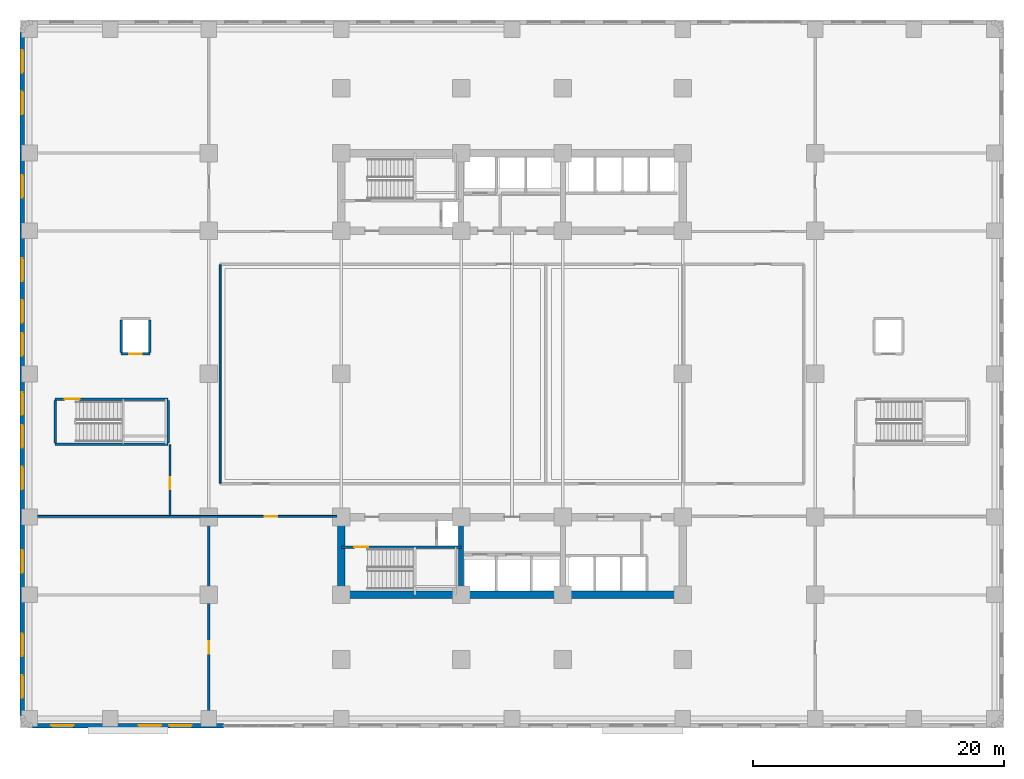
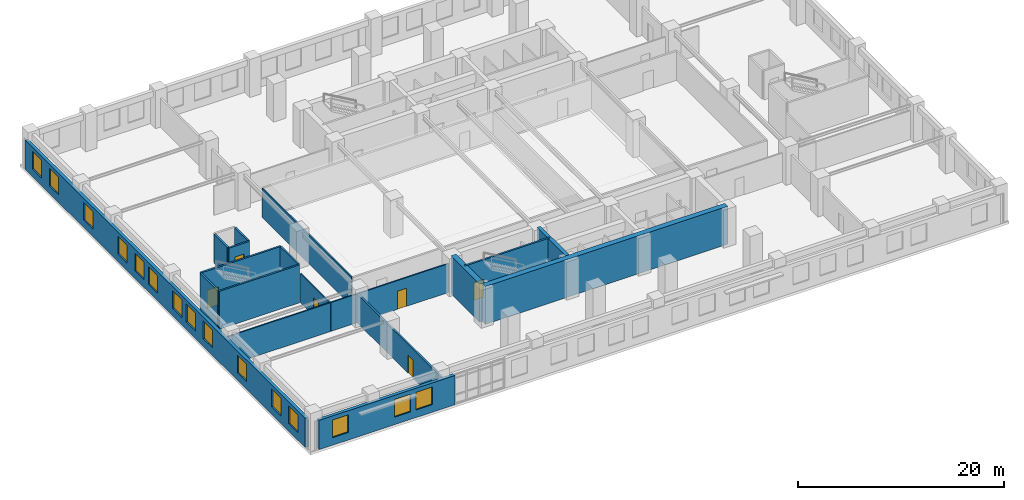
# One storey, part 6 of 16: 18 walls, 15 windows, 6 doors, 21 openings.
"""IFC4 building model written with IfcOpenShell, lengths in metres."""

from ifc_helpers import new_model, si_unit, direction, frame, frame_2d, origin, place, context, subcontext, project, spatial, rectangle, extrude, material, layer, layer_set, type_object, element, fill, save


model = new_model("IFC4")

# Units and contexts
model_context = context("Model", 3, precision=1e-05, world=origin(), true_north=direction((0.0, 1.0)))
body_context = subcontext(model_context, "Body", "Model", "MODEL_VIEW")
ifc_project = project(units=[si_unit("LENGTHUNIT", "METRE"), si_unit("AREAUNIT", "SQUARE_METRE"), si_unit("VOLUMEUNIT", "CUBIC_METRE"), si_unit("PLANEANGLEUNIT", "RADIAN"), si_unit("MASSUNIT", "GRAM", prefix="KILO")], contexts=[model_context])

# Site, building, storey
site_placement = place(None, origin())
site = spatial("IfcSite", under=ifc_project, at=site_placement, CompositionType="ELEMENT")
building_placement = place(site_placement, origin())
building = spatial("IfcBuilding", under=site, at=building_placement, Name="Svetorya Sky Lyceum", CompositionType="ELEMENT")
storey_placement = place(building_placement, frame((0.0, 0.0, 11.10009765625)))
storey = spatial("IfcBuildingStorey", under=building, at=storey_placement, Name="L02", CompositionType="ELEMENT", Elevation=11.10009765625)

# Walls
ifc_material_1 = material(Name="Concrete C40/50", Category="concrete")
ifc_layer_1 = layer(ifc_material_1, 0.39990234375)
ifc_layer_set_1 = layer_set([ifc_layer_1], Name="Concrete C40/50")
wall_type_1 = type_object("IfcWallType", Name="WL-CORE-400", PredefinedType="SHEAR", material=ifc_layer_set_1)
wall_1_placement = place(storey_placement, frame((35.14990234375, 10.89990234375, 0.0), z_axis=(0.0, 0.0, 1.0), x_axis=(0.0, 1.0, 0.0)))
element("IfcWall", 1, at=wall_1_placement, inside=storey, type_object=wall_type_1, Name="L02 SC Internal Shear Web WEB1", PredefinedType="SHEAR", context=body_context, shape_type="SweptSolid", body=[
    extrude(rectangle(XDim=5.60009765625, YDim=0.39990234375, at=frame_2d((2.800048828125, 0.0))), origin(), (0.0, 0.0, 1.0), 4.5),
])
ifc_material_2 = material(Name="Concrete C60/75", Category="concrete")
ifc_layer_2 = layer(ifc_material_2, 0.60009765625)
ifc_layer_set_2 = layer_set([ifc_layer_2], Name="Concrete C60/75")
wall_type_2 = type_object("IfcWallType", Name="WL-CORE-600", PredefinedType="SHEAR", material=ifc_layer_set_2)
wall_2_placement = place(storey_placement, frame((52.800048828125, 10.60009765625, 0.0), z_axis=(0.0, 0.0, 1.0), x_axis=(-1.0, 0.0, 0.0)))
element("IfcWall", 2, at=wall_2_placement, inside=storey, type_object=wall_type_2, Name="L02 SC Outer Core Shear Wall", PredefinedType="SHEAR", context=body_context, shape_type="SweptSolid", body=[
    extrude(rectangle(XDim=27.199951171875, YDim=0.60009765625, at=frame_2d((13.60009765625, 0.0))), origin(), (0.0, 0.0, 1.0), 4.5),
])
wall_3_placement = place(storey_placement, frame((25.60009765625, 10.89990234375, 0.0), z_axis=(0.0, 0.0, 1.0), x_axis=(0.0, 1.0, 0.0)))
element("IfcWall", 3, at=wall_3_placement, inside=storey, type_object=wall_type_2, Name="L02 SC West Core Shear Wall", PredefinedType="SHEAR", context=body_context, shape_type="SweptSolid", body=[
    extrude(rectangle(XDim=5.60009765625, YDim=0.60009765625, at=frame_2d((2.800048828125, 0.0))), origin(), (0.0, 0.0, 1.0), 4.5),
])

# Wall, openings, windows
ifc_material_3 = material(Name="Putilovo limestone rainscreen on autoclaved cellular masonry", Category="masonry")
ifc_layer_3 = layer(ifc_material_3, 0.360107421875)
ifc_layer_set_3 = layer_set([ifc_layer_3], Name="Putilovo limestone rainscreen on autoclaved cellular masonry")
wall_type_3 = type_object("IfcWallType", Name="WL-EXT-360", PredefinedType="SOLIDWALL", material=ifc_layer_set_3)
wall_4_placement = place(storey_placement, frame((0.97998046875, 0.179931640625, 0.0), z_axis=(0.0, 0.0, 1.0), x_axis=(1.0, 0.0, 0.0)))
wall_4 = element("IfcWall", 4, at=wall_4_placement, inside=storey, type_object=wall_type_3, Name="L02 Limestone Exterior Wall 6A", PredefinedType="SOLIDWALL", context=body_context, shape_type="SweptSolid", body=[
    extrude(rectangle(XDim=15.25, YDim=0.360107421875, at=frame_2d((7.625, 0.0))), origin(), (0.0, 0.0, 1.0), 3.47998046875),
])
opening_1_placement = place(wall_4_placement, frame((1.49365234375, 0.0, 0.89990234375)))
opening_1 = element("IfcOpeningElement", 5, at=opening_1_placement, cuts=wall_4, Name="Opening W-S2", PredefinedType="OPENING", context=body_context, shape_type="SweptSolid", body=[
    extrude(rectangle(XDim=1.800048828125, YDim=2.10009765625, at=frame_2d((0.89990234375, 1.050048828125))), frame((0.0, 0.18994140625, 0.0), z_axis=(0.0, -1.0, 0.0), x_axis=(1.0, 0.0, 0.0)), (0.0, 0.0, 1.0), 0.380126953125),
])
opening_2_placement = place(wall_4_placement, frame((8.46875, 0.0, 0.89990234375)))
opening_2 = element("IfcOpeningElement", 6, at=opening_2_placement, cuts=wall_4, Name="Opening W-S2", PredefinedType="OPENING", context=body_context, shape_type="SweptSolid", body=[
    extrude(rectangle(XDim=1.800048828125, YDim=2.10009765625, at=frame_2d((0.89990234375, 1.050048828125))), frame((0.0, 0.18994140625, 0.0), z_axis=(0.0, -1.0, 0.0), x_axis=(1.0, 0.0, 0.0)), (0.0, 0.0, 1.0), 0.380126953125),
])
opening_3_placement = place(wall_4_placement, frame((10.90625, 0.0, 0.89990234375)))
opening_3 = element("IfcOpeningElement", 7, at=opening_3_placement, cuts=wall_4, Name="Opening W-S2", PredefinedType="OPENING", context=body_context, shape_type="SweptSolid", body=[
    extrude(rectangle(XDim=1.800048828125, YDim=2.10009765625, at=frame_2d((0.89990234375, 1.050048828125))), frame((0.0, 0.18994140625, 0.0), z_axis=(0.0, -1.0, 0.0), x_axis=(1.0, 0.0, 0.0)), (0.0, 0.0, 1.0), 0.380126953125),
])
ifc_material_4 = material(Name="Thermally broken aluminium frame with triple low-E glazing", Category="aluminium")
window_type = type_object("IfcWindowType", Name="WN-SCH-180", PartitioningType="DOUBLE_PANEL_VERTICAL", PredefinedType="WINDOW", material=ifc_material_4)
window_1_placement = place(opening_1_placement, origin())
window_1 = element("IfcWindow", 8, at=window_1_placement, inside=storey, type_object=window_type, Name="L02 Facade Window W-S2.6A.1", OverallHeight=2.10009765625, OverallWidth=1.800048828125, PartitioningType="SINGLE_PANEL", PredefinedType="WINDOW", context=body_context, shape_type="SweptSolid", body=[
    extrude(rectangle(XDim=1.800048828125, YDim=2.10009765625, at=frame_2d((0.89990234375, 1.050048828125))), frame((0.0, 0.030029296875, 0.0), z_axis=(0.0, -1.0, 0.0), x_axis=(1.0, 0.0, 0.0)), (0.0, 0.0, 1.0), 0.06005859375),
])
fill(opening_1, window_1)
window_2_placement = place(opening_2_placement, origin())
window_2 = element("IfcWindow", 9, at=window_2_placement, inside=storey, type_object=window_type, Name="L02 Facade Window W-S2.6A.2", OverallHeight=2.10009765625, OverallWidth=1.800048828125, PartitioningType="SINGLE_PANEL", PredefinedType="WINDOW", context=body_context, shape_type="SweptSolid", body=[
    extrude(rectangle(XDim=1.800048828125, YDim=2.10009765625, at=frame_2d((0.89990234375, 1.050048828125))), frame((0.0, 0.030029296875, 0.0), z_axis=(0.0, -1.0, 0.0), x_axis=(1.0, 0.0, 0.0)), (0.0, 0.0, 1.0), 0.06005859375),
])
fill(opening_2, window_2)
window_3_placement = place(opening_3_placement, origin())
window_3 = element("IfcWindow", 10, at=window_3_placement, inside=storey, type_object=window_type, Name="L02 Facade Window W-S2.6A.3", OverallHeight=2.10009765625, OverallWidth=1.800048828125, PartitioningType="SINGLE_PANEL", PredefinedType="WINDOW", context=body_context, shape_type="SweptSolid", body=[
    extrude(rectangle(XDim=1.800048828125, YDim=2.10009765625, at=frame_2d((0.89990234375, 1.050048828125))), frame((0.0, 0.030029296875, 0.0), z_axis=(0.0, -1.0, 0.0), x_axis=(1.0, 0.0, 0.0)), (0.0, 0.0, 1.0), 0.06005859375),
])
fill(opening_3, window_3)

wall_5_placement = place(storey_placement, frame((0.179931640625, 55.419921875, 0.0), z_axis=(0.0, 0.0, 1.0), x_axis=(0.0, -1.0, 0.0)))
wall_5 = element("IfcWall", 11, at=wall_5_placement, inside=storey, type_object=wall_type_3, Name="L02 Limestone Exterior Wall 24M", PredefinedType="SOLIDWALL", context=body_context, shape_type="SweptSolid", body=[
    extrude(rectangle(XDim=54.43994140625, YDim=0.360107421875, at=frame_2d((27.219970703125, 0.0))), origin(), (0.0, 0.0, 1.0), 3.47998046875),
])
opening_4_placement = place(wall_5_placement, frame((1.41064453125, 0.0, 0.89990234375)))
opening_4 = element("IfcOpeningElement", 12, at=opening_4_placement, cuts=wall_5, Name="Opening W-S2", PredefinedType="OPENING", context=body_context, shape_type="SweptSolid", body=[
    extrude(rectangle(XDim=1.800048828125, YDim=2.10009765625, at=frame_2d((0.89990234375, 1.050048828125))), frame((0.0, 0.18994140625, 0.0), z_axis=(0.0, -1.0, 0.0), x_axis=(1.0, 0.0, 0.0)), (0.0, 0.0, 1.0), 0.380126953125),
])
opening_5_placement = place(wall_5_placement, frame((4.73193359375, 0.0, 0.89990234375)))
opening_5 = element("IfcOpeningElement", 13, at=opening_5_placement, cuts=wall_5, Name="Opening W-S2", PredefinedType="OPENING", context=body_context, shape_type="SweptSolid", body=[
    extrude(rectangle(XDim=1.800048828125, YDim=2.10009765625, at=frame_2d((0.89990234375, 1.050048828125))), frame((0.0, 0.18994140625, 0.0), z_axis=(0.0, -1.0, 0.0), x_axis=(1.0, 0.0, 0.0)), (0.0, 0.0, 1.0), 0.380126953125),
])
opening_6_placement = place(wall_5_placement, frame((11.37451171875, 0.0, 0.89990234375)))
opening_6 = element("IfcOpeningElement", 14, at=opening_6_placement, cuts=wall_5, Name="Opening W-S2", PredefinedType="OPENING", context=body_context, shape_type="SweptSolid", body=[
    extrude(rectangle(XDim=1.800048828125, YDim=2.10009765625, at=frame_2d((0.89990234375, 1.050048828125))), frame((0.0, 0.18994140625, 0.0), z_axis=(0.0, -1.0, 0.0), x_axis=(1.0, 0.0, 0.0)), (0.0, 0.0, 1.0), 0.380126953125),
])
opening_7_placement = place(wall_5_placement, frame((18.016845703125, 0.0, 0.89990234375)))
opening_7 = element("IfcOpeningElement", 15, at=opening_7_placement, cuts=wall_5, Name="Opening W-S2", PredefinedType="OPENING", context=body_context, shape_type="SweptSolid", body=[
    extrude(rectangle(XDim=1.800048828125, YDim=2.10009765625, at=frame_2d((0.89990234375, 1.050048828125))), frame((0.0, 0.18994140625, 0.0), z_axis=(0.0, -1.0, 0.0), x_axis=(1.0, 0.0, 0.0)), (0.0, 0.0, 1.0), 0.380126953125),
])
opening_8_placement = place(wall_5_placement, frame((21.338134765625, 0.0, 0.89990234375)))
opening_8 = element("IfcOpeningElement", 16, at=opening_8_placement, cuts=wall_5, Name="Opening W-S2", PredefinedType="OPENING", context=body_context, shape_type="SweptSolid", body=[
    extrude(rectangle(XDim=1.800048828125, YDim=2.10009765625, at=frame_2d((0.89990234375, 1.050048828125))), frame((0.0, 0.18994140625, 0.0), z_axis=(0.0, -1.0, 0.0), x_axis=(1.0, 0.0, 0.0)), (0.0, 0.0, 1.0), 0.380126953125),
])
opening_9_placement = place(wall_5_placement, frame((23.95947265625, 0.0, 0.89990234375)))
opening_9 = element("IfcOpeningElement", 17, at=opening_9_placement, cuts=wall_5, Name="Opening W-S2", PredefinedType="OPENING", context=body_context, shape_type="SweptSolid", body=[
    extrude(rectangle(XDim=1.800048828125, YDim=2.10009765625, at=frame_2d((0.89990234375, 1.050048828125))), frame((0.0, 0.18994140625, 0.0), z_axis=(0.0, -1.0, 0.0), x_axis=(1.0, 0.0, 0.0)), (0.0, 0.0, 1.0), 0.380126953125),
])
opening_10_placement = place(wall_5_placement, frame((28.6806640625, 0.0, 0.89990234375)))
opening_10 = element("IfcOpeningElement", 18, at=opening_10_placement, cuts=wall_5, Name="Opening W-S2", PredefinedType="OPENING", context=body_context, shape_type="SweptSolid", body=[
    extrude(rectangle(XDim=1.800048828125, YDim=2.10009765625, at=frame_2d((0.89990234375, 1.050048828125))), frame((0.0, 0.18994140625, 0.0), z_axis=(0.0, -1.0, 0.0), x_axis=(1.0, 0.0, 0.0)), (0.0, 0.0, 1.0), 0.380126953125),
])
opening_11_placement = place(wall_5_placement, frame((31.302001953125, 0.0, 0.89990234375)))
opening_11 = element("IfcOpeningElement", 19, at=opening_11_placement, cuts=wall_5, Name="Opening W-S2", PredefinedType="OPENING", context=body_context, shape_type="SweptSolid", body=[
    extrude(rectangle(XDim=1.800048828125, YDim=2.10009765625, at=frame_2d((0.89990234375, 1.050048828125))), frame((0.0, 0.18994140625, 0.0), z_axis=(0.0, -1.0, 0.0), x_axis=(1.0, 0.0, 0.0)), (0.0, 0.0, 1.0), 0.380126953125),
])
opening_12_placement = place(wall_5_placement, frame((34.623046875, 0.0, 0.89990234375)))
opening_12 = element("IfcOpeningElement", 20, at=opening_12_placement, cuts=wall_5, Name="Opening W-S2", PredefinedType="OPENING", context=body_context, shape_type="SweptSolid", body=[
    extrude(rectangle(XDim=1.800048828125, YDim=2.10009765625, at=frame_2d((0.89990234375, 1.050048828125))), frame((0.0, 0.18994140625, 0.0), z_axis=(0.0, -1.0, 0.0), x_axis=(1.0, 0.0, 0.0)), (0.0, 0.0, 1.0), 0.380126953125),
])
opening_13_placement = place(wall_5_placement, frame((41.265625, 0.0, 0.89990234375)))
opening_13 = element("IfcOpeningElement", 21, at=opening_13_placement, cuts=wall_5, Name="Opening W-S2", PredefinedType="OPENING", context=body_context, shape_type="SweptSolid", body=[
    extrude(rectangle(XDim=1.800048828125, YDim=2.10009765625, at=frame_2d((0.89990234375, 1.050048828125))), frame((0.0, 0.18994140625, 0.0), z_axis=(0.0, -1.0, 0.0), x_axis=(1.0, 0.0, 0.0)), (0.0, 0.0, 1.0), 0.380126953125),
])
opening_14_placement = place(wall_5_placement, frame((47.908203125, 0.0, 0.89990234375)))
opening_14 = element("IfcOpeningElement", 22, at=opening_14_placement, cuts=wall_5, Name="Opening W-S2", PredefinedType="OPENING", context=body_context, shape_type="SweptSolid", body=[
    extrude(rectangle(XDim=1.800048828125, YDim=2.10009765625, at=frame_2d((0.89990234375, 1.050048828125))), frame((0.0, 0.18994140625, 0.0), z_axis=(0.0, -1.0, 0.0), x_axis=(1.0, 0.0, 0.0)), (0.0, 0.0, 1.0), 0.380126953125),
])
opening_15_placement = place(wall_5_placement, frame((51.2294921875, 0.0, 0.89990234375)))
opening_15 = element("IfcOpeningElement", 23, at=opening_15_placement, cuts=wall_5, Name="Opening W-S2", PredefinedType="OPENING", context=body_context, shape_type="SweptSolid", body=[
    extrude(rectangle(XDim=1.800048828125, YDim=2.10009765625, at=frame_2d((0.89990234375, 1.050048828125))), frame((0.0, 0.18994140625, 0.0), z_axis=(0.0, -1.0, 0.0), x_axis=(1.0, 0.0, 0.0)), (0.0, 0.0, 1.0), 0.380126953125),
])
window_4_placement = place(opening_4_placement, origin())
window_4 = element("IfcWindow", 24, at=window_4_placement, inside=storey, type_object=window_type, Name="L02 Facade Window W-S2.24M.1", OverallHeight=2.10009765625, OverallWidth=1.800048828125, PartitioningType="SINGLE_PANEL", PredefinedType="WINDOW", context=body_context, shape_type="SweptSolid", body=[
    extrude(rectangle(XDim=1.800048828125, YDim=2.10009765625, at=frame_2d((0.89990234375, 1.050048828125))), frame((0.0, 0.030029296875, 0.0), z_axis=(0.0, -1.0, 0.0), x_axis=(1.0, 0.0, 0.0)), (0.0, 0.0, 1.0), 0.06005859375),
])
fill(opening_4, window_4)
window_5_placement = place(opening_5_placement, origin())
window_5 = element("IfcWindow", 25, at=window_5_placement, inside=storey, type_object=window_type, Name="L02 Facade Window W-S2.24M.2", OverallHeight=2.10009765625, OverallWidth=1.800048828125, PartitioningType="SINGLE_PANEL", PredefinedType="WINDOW", context=body_context, shape_type="SweptSolid", body=[
    extrude(rectangle(XDim=1.800048828125, YDim=2.10009765625, at=frame_2d((0.89990234375, 1.050048828125))), frame((0.0, 0.030029296875, 0.0), z_axis=(0.0, -1.0, 0.0), x_axis=(1.0, 0.0, 0.0)), (0.0, 0.0, 1.0), 0.06005859375),
])
fill(opening_5, window_5)
window_6_placement = place(opening_6_placement, origin())
window_6 = element("IfcWindow", 26, at=window_6_placement, inside=storey, type_object=window_type, Name="L02 Facade Window W-S2.24M.3", OverallHeight=2.10009765625, OverallWidth=1.800048828125, PartitioningType="SINGLE_PANEL", PredefinedType="WINDOW", context=body_context, shape_type="SweptSolid", body=[
    extrude(rectangle(XDim=1.800048828125, YDim=2.10009765625, at=frame_2d((0.89990234375, 1.050048828125))), frame((0.0, 0.030029296875, 0.0), z_axis=(0.0, -1.0, 0.0), x_axis=(1.0, 0.0, 0.0)), (0.0, 0.0, 1.0), 0.06005859375),
])
fill(opening_6, window_6)
window_7_placement = place(opening_7_placement, origin())
window_7 = element("IfcWindow", 27, at=window_7_placement, inside=storey, type_object=window_type, Name="L02 Facade Window W-S2.24M.4", OverallHeight=2.10009765625, OverallWidth=1.800048828125, PartitioningType="SINGLE_PANEL", PredefinedType="WINDOW", context=body_context, shape_type="SweptSolid", body=[
    extrude(rectangle(XDim=1.800048828125, YDim=2.10009765625, at=frame_2d((0.89990234375, 1.050048828125))), frame((0.0, 0.030029296875, 0.0), z_axis=(0.0, -1.0, 0.0), x_axis=(1.0, 0.0, 0.0)), (0.0, 0.0, 1.0), 0.06005859375),
])
fill(opening_7, window_7)
window_8_placement = place(opening_8_placement, origin())
window_8 = element("IfcWindow", 28, at=window_8_placement, inside=storey, type_object=window_type, Name="L02 Facade Window W-S2.24M.5", OverallHeight=2.10009765625, OverallWidth=1.800048828125, PartitioningType="SINGLE_PANEL", PredefinedType="WINDOW", context=body_context, shape_type="SweptSolid", body=[
    extrude(rectangle(XDim=1.800048828125, YDim=2.10009765625, at=frame_2d((0.89990234375, 1.050048828125))), frame((0.0, 0.030029296875, 0.0), z_axis=(0.0, -1.0, 0.0), x_axis=(1.0, 0.0, 0.0)), (0.0, 0.0, 1.0), 0.06005859375),
])
fill(opening_8, window_8)
window_9_placement = place(opening_9_placement, origin())
window_9 = element("IfcWindow", 29, at=window_9_placement, inside=storey, type_object=window_type, Name="L02 Facade Window W-S2.24M.6", OverallHeight=2.10009765625, OverallWidth=1.800048828125, PartitioningType="SINGLE_PANEL", PredefinedType="WINDOW", context=body_context, shape_type="SweptSolid", body=[
    extrude(rectangle(XDim=1.800048828125, YDim=2.10009765625, at=frame_2d((0.89990234375, 1.050048828125))), frame((0.0, 0.030029296875, 0.0), z_axis=(0.0, -1.0, 0.0), x_axis=(1.0, 0.0, 0.0)), (0.0, 0.0, 1.0), 0.06005859375),
])
fill(opening_9, window_9)
window_10_placement = place(opening_10_placement, origin())
window_10 = element("IfcWindow", 30, at=window_10_placement, inside=storey, type_object=window_type, Name="L02 Facade Window W-S2.24M.7", OverallHeight=2.10009765625, OverallWidth=1.800048828125, PartitioningType="SINGLE_PANEL", PredefinedType="WINDOW", context=body_context, shape_type="SweptSolid", body=[
    extrude(rectangle(XDim=1.800048828125, YDim=2.10009765625, at=frame_2d((0.89990234375, 1.050048828125))), frame((0.0, 0.030029296875, 0.0), z_axis=(0.0, -1.0, 0.0), x_axis=(1.0, 0.0, 0.0)), (0.0, 0.0, 1.0), 0.06005859375),
])
fill(opening_10, window_10)
window_11_placement = place(opening_11_placement, origin())
window_11 = element("IfcWindow", 31, at=window_11_placement, inside=storey, type_object=window_type, Name="L02 Facade Window W-S2.24M.8", OverallHeight=2.10009765625, OverallWidth=1.800048828125, PartitioningType="SINGLE_PANEL", PredefinedType="WINDOW", context=body_context, shape_type="SweptSolid", body=[
    extrude(rectangle(XDim=1.800048828125, YDim=2.10009765625, at=frame_2d((0.89990234375, 1.050048828125))), frame((0.0, 0.030029296875, 0.0), z_axis=(0.0, -1.0, 0.0), x_axis=(1.0, 0.0, 0.0)), (0.0, 0.0, 1.0), 0.06005859375),
])
fill(opening_11, window_11)
window_12_placement = place(opening_12_placement, origin())
window_12 = element("IfcWindow", 32, at=window_12_placement, inside=storey, type_object=window_type, Name="L02 Facade Window W-S2.24M.9", OverallHeight=2.10009765625, OverallWidth=1.800048828125, PartitioningType="SINGLE_PANEL", PredefinedType="WINDOW", context=body_context, shape_type="SweptSolid", body=[
    extrude(rectangle(XDim=1.800048828125, YDim=2.10009765625, at=frame_2d((0.89990234375, 1.050048828125))), frame((0.0, 0.030029296875, 0.0), z_axis=(0.0, -1.0, 0.0), x_axis=(1.0, 0.0, 0.0)), (0.0, 0.0, 1.0), 0.06005859375),
])
fill(opening_12, window_12)
window_13_placement = place(opening_13_placement, origin())
window_13 = element("IfcWindow", 33, at=window_13_placement, inside=storey, type_object=window_type, Name="L02 Facade Window W-S2.24M.10", OverallHeight=2.10009765625, OverallWidth=1.800048828125, PartitioningType="SINGLE_PANEL", PredefinedType="WINDOW", context=body_context, shape_type="SweptSolid", body=[
    extrude(rectangle(XDim=1.800048828125, YDim=2.10009765625, at=frame_2d((0.89990234375, 1.050048828125))), frame((0.0, 0.030029296875, 0.0), z_axis=(0.0, -1.0, 0.0), x_axis=(1.0, 0.0, 0.0)), (0.0, 0.0, 1.0), 0.06005859375),
])
fill(opening_13, window_13)
window_14_placement = place(opening_14_placement, origin())
window_14 = element("IfcWindow", 34, at=window_14_placement, inside=storey, type_object=window_type, Name="L02 Facade Window W-S2.24M.11", OverallHeight=2.10009765625, OverallWidth=1.800048828125, PartitioningType="SINGLE_PANEL", PredefinedType="WINDOW", context=body_context, shape_type="SweptSolid", body=[
    extrude(rectangle(XDim=1.800048828125, YDim=2.10009765625, at=frame_2d((0.89990234375, 1.050048828125))), frame((0.0, 0.030029296875, 0.0), z_axis=(0.0, -1.0, 0.0), x_axis=(1.0, 0.0, 0.0)), (0.0, 0.0, 1.0), 0.06005859375),
])
fill(opening_14, window_14)
window_15_placement = place(opening_15_placement, origin())
window_15 = element("IfcWindow", 35, at=window_15_placement, inside=storey, type_object=window_type, Name="L02 Facade Window W-S2.24M.12", OverallHeight=2.10009765625, OverallWidth=1.800048828125, PartitioningType="SINGLE_PANEL", PredefinedType="WINDOW", context=body_context, shape_type="SweptSolid", body=[
    extrude(rectangle(XDim=1.800048828125, YDim=2.10009765625, at=frame_2d((0.89990234375, 1.050048828125))), frame((0.0, 0.030029296875, 0.0), z_axis=(0.0, -1.0, 0.0), x_axis=(1.0, 0.0, 0.0)), (0.0, 0.0, 1.0), 0.06005859375),
])
fill(opening_15, window_15)

# Wall
ifc_material_5 = material(Name="Autoclaved cellular masonry blockwork with acoustic render", Category="masonry")
ifc_layer_4 = layer(ifc_material_5, 0.14990234375)
ifc_layer_set_4 = layer_set([ifc_layer_4], Name="Autoclaved cellular masonry blockwork with acoustic render")
wall_type_4 = type_object("IfcWallType", Name="WL-PART-150", PredefinedType="PARTITIONING", material=ifc_layer_set_4)
wall_6_placement = place(storey_placement, frame((15.949951171875, 19.5, 0.0), z_axis=(0.0, 0.0, 1.0), x_axis=(0.0, 1.0, 0.0)))
element("IfcWall", 36, at=wall_6_placement, inside=storey, type_object=wall_type_4, Name="L02 Interior Partition CEN-W", PredefinedType="PARTITIONING", context=body_context, shape_type="SweptSolid", body=[
    extrude(rectangle(XDim=17.39990234375, YDim=0.14990234375, at=frame_2d((8.699951171875, 0.0))), origin(), (0.0, 0.0, 1.0), 3.419921875),
])

# Wall, opening, door
wall_7_placement = place(storey_placement, frame((12.0, 16.85009765625, 0.0), z_axis=(0.0, 0.0, 1.0), x_axis=(1.0, 0.0, 0.0)))
wall_7 = element("IfcWall", 37, at=wall_7_placement, inside=storey, type_object=wall_type_4, Name="L02 Interior Partition SW-CORR", PredefinedType="PARTITIONING", context=body_context, shape_type="SweptSolid", body=[
    extrude(rectangle(XDim=13.25, YDim=0.14990234375, at=frame_2d((6.625, 0.0))), origin(), (0.0, 0.0, 1.0), 3.419921875),
])
opening_16_placement = place(wall_7_placement, frame((7.5, 0.0, 0.0)))
opening_16 = element("IfcOpeningElement", 38, at=opening_16_placement, cuts=wall_7, Name="Opening D-RM2", PredefinedType="OPENING", context=body_context, shape_type="SweptSolid", body=[
    extrude(rectangle(XDim=1.0, YDim=2.14990234375, at=frame_2d((0.5, 1.074951171875))), frame((0.0, 0.0849609375, 0.0), z_axis=(0.0, -1.0, 0.0), x_axis=(1.0, 0.0, 0.0)), (0.0, 0.0, 1.0), 0.169921875),
])
ifc_material_6 = material(Name="Solid-core oak acoustic room door")
door_type_1 = type_object("IfcDoorType", Name="DR-INT-1000", OperationType="SINGLE_SWING_LEFT", PredefinedType="DOOR", material=ifc_material_6)
door_1_placement = place(opening_16_placement, origin())
door_1 = element("IfcDoor", 39, at=door_1_placement, inside=storey, type_object=door_type_1, Name="L02 Classroom SW2 Door", OperationType="SINGLE_SWING_LEFT", OverallHeight=2.14990234375, OverallWidth=1.0, PredefinedType="DOOR", context=body_context, shape_type="SweptSolid", body=[
    extrude(rectangle(XDim=1.0, YDim=2.14990234375, at=frame_2d((0.5, 1.074951171875))), frame((0.0, 0.02490234375, 0.0), z_axis=(0.0, -1.0, 0.0), x_axis=(1.0, 0.0, 0.0)), (0.0, 0.0, 1.0), 0.050048828125),
])
fill(opening_16, door_1)

wall_8_placement = place(storey_placement, frame((11.949951171875, 16.89990234375, 0.0), z_axis=(0.0, 0.0, 1.0), x_axis=(0.0, 1.0, 0.0)))
wall_8 = element("IfcWall", 40, at=wall_8_placement, inside=storey, type_object=wall_type_4, Name="L02 Interior Partition WCW-E", PredefinedType="PARTITIONING", context=body_context, shape_type="SweptSolid", body=[
    extrude(rectangle(XDim=5.650146484375, YDim=0.14990234375, at=frame_2d((2.8251953125, 0.0))), origin(), (0.0, 0.0, 1.0), 3.419921875),
])
opening_17_placement = place(wall_8_placement, frame((2.10009765625, 0.0, 0.0)))
opening_17 = element("IfcOpeningElement", 41, at=opening_17_placement, cuts=wall_8, Name="Opening D-WC1", PredefinedType="OPENING", context=body_context, shape_type="SweptSolid", body=[
    extrude(rectangle(XDim=0.949951171875, YDim=2.10009765625, at=frame_2d((0.47509765625, 1.050048828125))), frame((0.0, 0.0849609375, 0.0), z_axis=(0.0, -1.0, 0.0), x_axis=(1.0, 0.0, 0.0)), (0.0, 0.0, 1.0), 0.169921875),
])
ifc_material_7 = material(Name="Moisture-resistant laminate accessible WC door")
door_type_2 = type_object("IfcDoorType", Name="DR-ACC-950", OperationType="SINGLE_SWING_LEFT", PredefinedType="DOOR", material=ifc_material_7)
door_2_placement = place(opening_17_placement, origin())
door_2 = element("IfcDoor", 42, at=door_2_placement, inside=storey, type_object=door_type_2, Name="L02 Accessible WC Door", OperationType="SINGLE_SWING_LEFT", OverallHeight=2.10009765625, OverallWidth=0.949951171875, PredefinedType="DOOR", context=body_context, shape_type="SweptSolid", body=[
    extrude(rectangle(XDim=0.949951171875, YDim=2.10009765625, at=frame_2d((0.47509765625, 1.050048828125))), frame((0.0, 0.02490234375, 0.0), z_axis=(0.0, -1.0, 0.0), x_axis=(1.0, 0.0, 0.0)), (0.0, 0.0, 1.0), 0.050048828125),
])
fill(opening_17, door_2)

# Walls
wall_9_placement = place(storey_placement, frame((0.39990234375, 16.85009765625, 0.0), z_axis=(0.0, 0.0, 1.0), x_axis=(1.0, 0.0, 0.0)))
element("IfcWall", 43, at=wall_9_placement, inside=storey, type_object=wall_type_4, Name="L02 Interior Partition CLSW1-N", PredefinedType="PARTITIONING", context=body_context, shape_type="SweptSolid", body=[
    extrude(rectangle(XDim=11.550048828125, YDim=0.14990234375, at=frame_2d((5.77490234375, 0.0))), origin(), (0.0, 0.0, 1.0), 3.419921875),
])
ifc_material_8 = material(Name="Autoclaved cellular masonry blockwork with gypsum plaster", Category="masonry")
ifc_layer_5 = layer(ifc_material_8, 0.199951171875)
ifc_layer_set_5 = layer_set([ifc_layer_5], Name="Autoclaved cellular masonry blockwork with gypsum plaster")
wall_type_5 = type_object("IfcWallType", Name="WL-PART-200", PredefinedType="PARTITIONING", material=ifc_layer_set_5)
for number, where, z_axis, x_axis, name in (
    (44, (8.050048828125, 29.89990234375, 0.0), (0.0, 0.0, 1.0), (0.0, 1.0, 0.0), "L02 Interior Partition SHL-W-SCHL1"),
    (45, (10.35009765625, 29.89990234375, 0.0), (0.0, 0.0, 1.0), (0.0, 1.0, 0.0), "L02 Interior Partition SHL-E-SCHL1"),
):
    element("IfcWall", number, at=place(storey_placement, frame(where, z_axis=z_axis, x_axis=x_axis)), inside=storey, type_object=wall_type_5, Name=name, PredefinedType="PARTITIONING", context=body_context, shape_type="SweptSolid", body=[
        extrude(rectangle(XDim=2.60009765625, YDim=0.199951171875, at=frame_2d((1.300048828125, 0.0))), origin(), (0.0, 0.0, 1.0), 3.419921875),
    ])

# Wall, opening, door
wall_10_placement = place(storey_placement, frame((8.050048828125, 29.800048828125, 0.0), z_axis=(0.0, 0.0, 1.0), x_axis=(1.0, 0.0, 0.0)))
wall_10 = element("IfcWall", 46, at=wall_10_placement, inside=storey, type_object=wall_type_5, Name="L02 Interior Partition SHL-S-SCHL1", PredefinedType="PARTITIONING", context=body_context, shape_type="SweptSolid", body=[
    extrude(rectangle(XDim=2.300048828125, YDim=0.199951171875, at=frame_2d((1.14990234375, 0.0))), origin(), (0.0, 0.0, 1.0), 3.419921875),
])
opening_18_placement = place(wall_10_placement, frame((0.64990234375, 0.0, 0.0)))
opening_18 = element("IfcOpeningElement", 47, at=opening_18_placement, cuts=wall_10, Name="Opening LD-P1", PredefinedType="OPENING", context=body_context, shape_type="SweptSolid", body=[
    extrude(rectangle(XDim=1.0, YDim=2.14990234375, at=frame_2d((0.5, 1.074951171875))), frame((0.0, 0.10986328125, 0.0), z_axis=(0.0, -1.0, 0.0), x_axis=(1.0, 0.0, 0.0)), (0.0, 0.0, 1.0), 0.219970703125),
])
ifc_material_9 = material(Name="Champagne-anodized stainless passenger lift landing door")
door_type_3 = type_object("IfcDoorType", Name="DR-LIFT-1000", OperationType="SLIDING_TO_LEFT", PredefinedType="DOOR", material=ifc_material_9)
door_3_placement = place(opening_18_placement, origin())
door_3 = element("IfcDoor", 48, at=door_3_placement, inside=storey, type_object=door_type_3, Name="L02 Lyceum Lift SCHL1 Landing Door", OperationType="SLIDING_TO_LEFT", OverallHeight=2.14990234375, OverallWidth=1.0, PredefinedType="DOOR", context=body_context, shape_type="SweptSolid", body=[
    extrude(rectangle(XDim=1.0, YDim=2.14990234375, at=frame_2d((0.5, 1.074951171875))), frame((0.0, 0.02490234375, 0.0), z_axis=(0.0, -1.0, 0.0), x_axis=(1.0, 0.0, 0.0)), (0.0, 0.0, 1.0), 0.050048828125),
])
fill(opening_18, door_3)

wall_11_placement = place(storey_placement, frame((15.050048828125, 0.39990234375, 0.0), z_axis=(0.0, 0.0, 1.0), x_axis=(0.0, 1.0, 0.0)))
wall_11 = element("IfcWall", 49, at=wall_11_placement, inside=storey, type_object=wall_type_5, Name="L02 Interior Partition SW-DIV", PredefinedType="PARTITIONING", context=body_context, shape_type="SweptSolid", body=[
    extrude(rectangle(XDim=16.400146484375, YDim=0.199951171875, at=frame_2d((8.2001953125, 0.0))), origin(), (0.0, 0.0, 1.0), 3.419921875),
])
opening_19_placement = place(wall_11_placement, frame((5.5, 0.0, 0.0)))
opening_19 = element("IfcOpeningElement", 50, at=opening_19_placement, cuts=wall_11, Name="Opening D-RM2", PredefinedType="OPENING", context=body_context, shape_type="SweptSolid", body=[
    extrude(rectangle(XDim=1.0, YDim=2.14990234375, at=frame_2d((0.5, 1.074951171875))), frame((0.0, 0.10986328125, 0.0), z_axis=(0.0, -1.0, 0.0), x_axis=(1.0, 0.0, 0.0)), (0.0, 0.0, 1.0), 0.219970703125),
])
door_4_placement = place(opening_19_placement, origin())
door_4 = element("IfcDoor", 51, at=door_4_placement, inside=storey, type_object=door_type_1, Name="L02 SW Inter-Classroom Door", OperationType="SINGLE_SWING_LEFT", OverallHeight=2.14990234375, OverallWidth=1.0, PredefinedType="DOOR", context=body_context, shape_type="SweptSolid", body=[
    extrude(rectangle(XDim=1.0, YDim=2.14990234375, at=frame_2d((0.5, 1.074951171875))), frame((0.0, 0.02490234375, 0.0), z_axis=(0.0, -1.0, 0.0), x_axis=(1.0, 0.0, 0.0)), (0.0, 0.0, 1.0), 0.050048828125),
])
fill(opening_19, door_4)

ifc_material_10 = material(Name="Concrete C50/60", Category="concrete")
ifc_layer_6 = layer(ifc_material_10, 0.199951171875)
ifc_layer_set_6 = layer_set([ifc_layer_6], Name="Concrete C50/60")
wall_type_6 = type_object("IfcWallType", Name="WL-SHW-200", PredefinedType="SHEAR", material=ifc_layer_set_6)
wall_12_placement = place(storey_placement, frame((25.60009765625, 14.39990234375, 0.0), z_axis=(0.0, 0.0, 1.0), x_axis=(1.0, 0.0, 0.0)))
wall_12 = element("IfcWall", 52, at=wall_12_placement, inside=storey, type_object=wall_type_6, Name="L02 Structural Stair Shaft Wall SC-STW", PredefinedType="SHEAR", context=body_context, shape_type="SweptSolid", body=[
    extrude(rectangle(XDim=9.5498046875, YDim=0.199951171875, at=frame_2d((4.77490234375, 0.0))), origin(), (0.0, 0.0, 1.0), 4.5),
])
opening_20_placement = place(wall_12_placement, frame((1.050048828125, 0.0, 0.0)))
opening_20 = element("IfcOpeningElement", 53, at=opening_20_placement, cuts=wall_12, Name="Opening D-ST1", PredefinedType="OPENING", context=body_context, shape_type="SweptSolid", body=[
    extrude(rectangle(XDim=1.10009765625, YDim=2.14990234375, at=frame_2d((0.550048828125, 1.074951171875))), frame((0.0, 0.10986328125, 0.0), z_axis=(0.0, -1.0, 0.0), x_axis=(1.0, 0.0, 0.0)), (0.0, 0.0, 1.0), 0.219970703125),
])
ifc_material_11 = material(Name="Powder-coated insulated galvanized stair fire door")
door_type_4 = type_object("IfcDoorType", Name="DR-FIRE-1100", OperationType="SINGLE_SWING_LEFT", PredefinedType="DOOR", material=ifc_material_11)
door_5_placement = place(opening_20_placement, origin())
door_5 = element("IfcDoor", 54, at=door_5_placement, inside=storey, type_object=door_type_4, Name="L02 Stair ST-S Vestibule Fire Door", OperationType="SINGLE_SWING_LEFT", OverallHeight=2.14990234375, OverallWidth=1.10009765625, PredefinedType="DOOR", context=body_context, shape_type="SweptSolid", body=[
    extrude(rectangle(XDim=1.10009765625, YDim=2.14990234375, at=frame_2d((0.550048828125, 1.074951171875))), frame((0.0, 0.02490234375, 0.0), z_axis=(0.0, -1.0, 0.0), x_axis=(1.0, 0.0, 0.0)), (0.0, 0.0, 1.0), 0.050048828125),
])
fill(opening_20, door_5)

# Walls
wall_13_placement = place(storey_placement, frame((2.800048828125, 22.60009765625, 0.0), z_axis=(0.0, 0.0, 1.0), x_axis=(1.0, 0.0, 0.0)))
element("IfcWall", 55, at=wall_13_placement, inside=storey, type_object=wall_type_6, Name="L02 Structural Stair Shaft Wall SCHW-S-W", PredefinedType="SHEAR", context=body_context, shape_type="SweptSolid", body=[
    extrude(rectangle(XDim=9.0, YDim=0.199951171875, at=frame_2d((4.5, 0.0))), origin(), (0.0, 0.0, 1.0), 4.5),
])
for number, where, z_axis, x_axis, name in (
    (56, (2.800048828125, 22.699951171875, 0.0), (0.0, 0.0, 1.0), (0.0, 1.0, 0.0), "L02 Structural Stair Shaft Wall SCHW-W-W"),
    (57, (11.800048828125, 22.699951171875, 0.0), (0.0, 0.0, 1.0), (0.0, 1.0, 0.0), "L02 Structural Stair Shaft Wall SCHW-E-W"),
):
    element("IfcWall", number, at=place(storey_placement, frame(where, z_axis=z_axis, x_axis=x_axis)), inside=storey, type_object=wall_type_6, Name=name, PredefinedType="SHEAR", context=body_context, shape_type="SweptSolid", body=[
        extrude(rectangle(XDim=3.400146484375, YDim=0.199951171875, at=frame_2d((1.7001953125, 0.0))), origin(), (0.0, 0.0, 1.0), 4.5),
    ])

# Wall, opening, door
wall_14_placement = place(storey_placement, frame((11.800048828125, 26.199951171875, 0.0), z_axis=(0.0, 0.0, 1.0), x_axis=(-1.0, 0.0, 0.0)))
wall_14 = element("IfcWall", 58, at=wall_14_placement, inside=storey, type_object=wall_type_6, Name="L02 Structural Stair Shaft Wall SCHW-N-W", PredefinedType="SHEAR", context=body_context, shape_type="SweptSolid", body=[
    extrude(rectangle(XDim=9.0, YDim=0.199951171875, at=frame_2d((4.5, 0.0))), origin(), (0.0, 0.0, 1.0), 4.5),
])
opening_21_placement = place(wall_14_placement, frame((7.050048828125, 0.0, 0.0)))
opening_21 = element("IfcOpeningElement", 59, at=opening_21_placement, cuts=wall_14, Name="Opening D-FL1", PredefinedType="OPENING", context=body_context, shape_type="SweptSolid", body=[
    extrude(rectangle(XDim=1.199951171875, YDim=2.14990234375, at=frame_2d((0.60009765625, 1.074951171875))), frame((0.0, 0.10986328125, 0.0), z_axis=(0.0, -1.0, 0.0), x_axis=(1.0, 0.0, 0.0)), (0.0, 0.0, 1.0), 0.219970703125),
])
ifc_material_12 = material(Name="Powder-coated insulated galvanized fire door")
door_type_5 = type_object("IfcDoorType", Name="DR-FIRE-1200", OperationType="SINGLE_SWING_LEFT", PredefinedType="DOOR", material=ifc_material_12)
door_6_placement = place(opening_21_placement, origin())
door_6 = element("IfcDoor", 60, at=door_6_placement, inside=storey, type_object=door_type_5, Name="L02 Lyceum Stair W Fire Door", OperationType="SINGLE_SWING_LEFT", OverallHeight=2.14990234375, OverallWidth=1.199951171875, PredefinedType="DOOR", context=body_context, shape_type="SweptSolid", body=[
    extrude(rectangle(XDim=1.199951171875, YDim=2.14990234375, at=frame_2d((0.60009765625, 1.074951171875))), frame((0.0, 0.02490234375, 0.0), z_axis=(0.0, -1.0, 0.0), x_axis=(1.0, 0.0, 0.0)), (0.0, 0.0, 1.0), 0.050048828125),
])
fill(opening_21, door_6)

save(model, "model.ifc")
